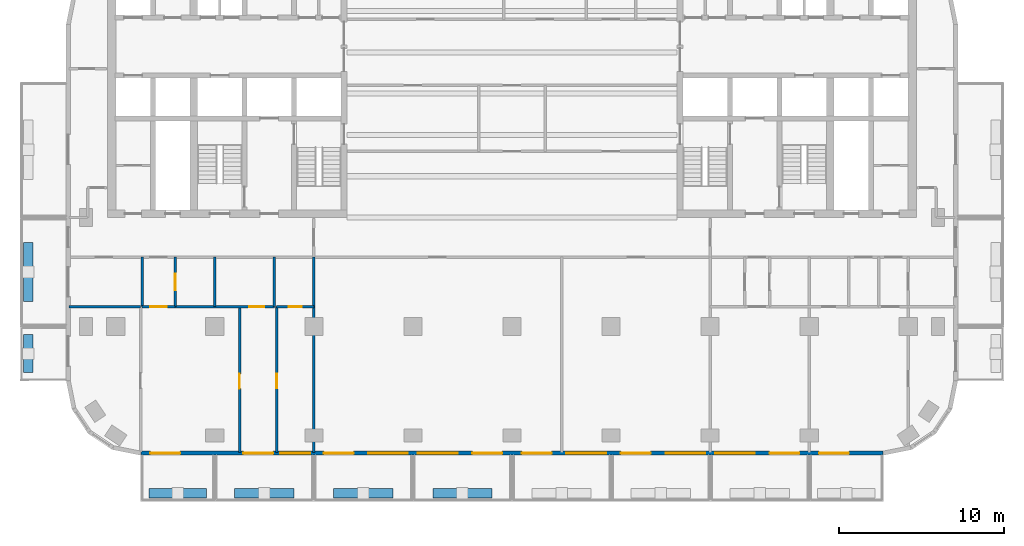
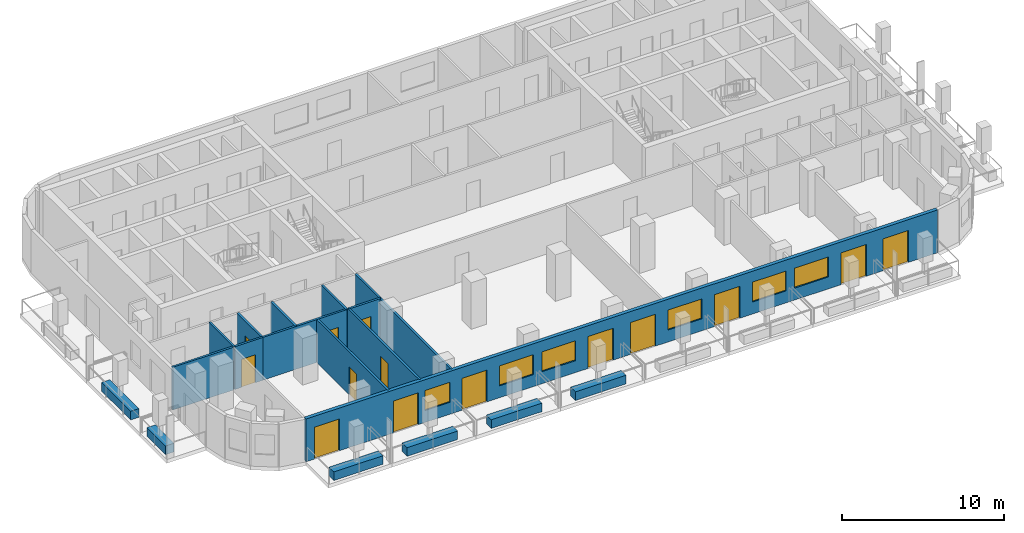
# One storey, part 2 of 11: 18 walls, 14 doors, 6 windows, 20 openings.
"""IFC4 building model written with IfcOpenShell, lengths in metres."""

from ifc_helpers import new_model, si_unit, direction, frame, frame_2d, origin, place, context, subcontext, project, spatial, rectangle, extrude, material, layer, layer_set, type_object, element, fill, save


model = new_model("IFC4")

# Units and contexts
model_context = context("Model", 3, precision=1e-05, world=origin(), true_north=direction((0.0, 1.0)))
body_context = subcontext(model_context, "Body", "Model", "MODEL_VIEW")
ifc_project = project(units=[si_unit("LENGTHUNIT", "METRE"), si_unit("AREAUNIT", "SQUARE_METRE"), si_unit("VOLUMEUNIT", "CUBIC_METRE"), si_unit("PLANEANGLEUNIT", "RADIAN"), si_unit("MASSUNIT", "GRAM", prefix="KILO")], contexts=[model_context])

# Site, building, storey
site_placement = place(None, origin())
site = spatial("IfcSite", under=ifc_project, at=site_placement, CompositionType="ELEMENT")
building_placement = place(site_placement, origin())
building = spatial("IfcBuilding", under=site, at=building_placement, Name="Torana Hotel and Residences", CompositionType="ELEMENT")
storey_placement = place(building_placement, frame((0.0, 0.0, 204.60009765625)))
storey = spatial("IfcBuildingStorey", under=building, at=storey_placement, Name="L53", CompositionType="ELEMENT", Elevation=204.60009765625)

# Wall, openings, doors, windows
ifc_material_1 = material(Name="Black aluminium composite panel", Category="aluminium")
ifc_layer_1 = layer(ifc_material_1, 0.00390625, Name="Cladding", Category="cladding")
ifc_material_2 = material(Name="Ventilated air cavity")
ifc_layer_2 = layer(ifc_material_2, 0.0400390625, Name="Ventilated cavity", Category="cavity")
ifc_material_3 = material(Name="Mineral wool insulation")
ifc_layer_3 = layer(ifc_material_3, 0.090087890625, Name="Insulation", Category="insulation")
ifc_material_4 = material(Name="Steel S280GD", Category="steel")
ifc_layer_4 = layer(ifc_material_4, 0.092041015625, Name="Steel stud frame", Category="structure")
ifc_material_5 = material(Name="Fire rated plasterboard")
ifc_layer_5 = layer(ifc_material_5, 0.011962890625, Name="Inner board", Category="finish")
ifc_layer_6 = layer(ifc_material_5, 0.011962890625, Name="Second board", Category="finish")
ifc_layer_set_1 = layer_set([ifc_layer_1, ifc_layer_2, ifc_layer_3, ifc_layer_4, ifc_layer_5, ifc_layer_6], Name="EW1 EXTERNAL WALL BLACK METAL CLAD 250")
wall_type_1 = type_object("IfcWallType", Name="EW1 EXTERNAL WALL BLACK METAL CLAD 250", PredefinedType="SOLIDWALL", material=ifc_layer_set_1)
wall_1_placement = place(storey_placement, frame((-22.475341796875, -29.27490234375, 0.0), z_axis=(0.0, 0.0, 1.0), x_axis=(1.0, 0.0, 0.0)))
wall_1 = element("IfcWall", 1, at=wall_1_placement, inside=storey, type_object=wall_type_1, Name="External wall L53 e0.14", PredefinedType="SOLIDWALL", context=body_context, shape_type="SweptSolid", body=[
    extrude(rectangle(XDim=44.95068359375, YDim=0.25, at=frame_2d((22.475341796875, 0.0))), origin(), (0.0, 0.0, 1.0), 3.219970703125),
])
opening_1_placement = place(wall_1_placement, frame((0.575439453125, 0.0, 0.0)))
opening_1 = element("IfcOpeningElement", 2, at=opening_1_placement, cuts=wall_1, Name="Opening L53-E01", PredefinedType="OPENING", context=body_context, shape_type="SweptSolid", body=[
    extrude(rectangle(XDim=1.800048828125, YDim=2.39990234375, at=frame_2d((0.89990234375, 1.199951171875))), frame((0.0, 0.135009765625, 0.0), z_axis=(0.0, -1.0, 0.0), x_axis=(1.0, 0.0, 0.0)), (0.0, 0.0, 1.0), 0.27001953125),
])
opening_2_placement = place(wall_1_placement, frame((6.200439453125, 0.0, 0.0)))
opening_2 = element("IfcOpeningElement", 3, at=opening_2_placement, cuts=wall_1, Name="Opening L53-E02", PredefinedType="OPENING", context=body_context, shape_type="SweptSolid", body=[
    extrude(rectangle(XDim=1.800048828125, YDim=2.39990234375, at=frame_2d((0.89990234375, 1.199951171875))), frame((0.0, 0.135009765625, 0.0), z_axis=(0.0, -1.0, 0.0), x_axis=(1.0, 0.0, 0.0)), (0.0, 0.0, 1.0), 0.27001953125),
])
opening_3_placement = place(wall_1_placement, frame((8.450439453125, 0.0, 0.89990234375)))
opening_3 = element("IfcOpeningElement", 4, at=opening_3_placement, cuts=wall_1, Name="Opening W4", PredefinedType="OPENING", context=body_context, shape_type="SweptSolid", body=[
    extrude(rectangle(XDim=1.800048828125, YDim=1.5, at=frame_2d((0.89990234375, 0.75))), frame((0.0, 0.135009765625, 0.0), z_axis=(0.0, -1.0, 0.0), x_axis=(1.0, 0.0, 0.0)), (0.0, 0.0, 1.0), 0.27001953125),
])
opening_4_placement = place(wall_1_placement, frame((11.075439453125, 0.0, 0.0)))
opening_4 = element("IfcOpeningElement", 5, at=opening_4_placement, cuts=wall_1, Name="Opening L53-E03", PredefinedType="OPENING", context=body_context, shape_type="SweptSolid", body=[
    extrude(rectangle(XDim=1.800048828125, YDim=2.39990234375, at=frame_2d((0.89990234375, 1.199951171875))), frame((0.0, 0.135009765625, 0.0), z_axis=(0.0, -1.0, 0.0), x_axis=(1.0, 0.0, 0.0)), (0.0, 0.0, 1.0), 0.27001953125),
])
opening_5_placement = place(wall_1_placement, frame((13.775390625, 0.0, 0.89990234375)))
opening_5 = element("IfcOpeningElement", 6, at=opening_5_placement, cuts=wall_1, Name="Opening W3", PredefinedType="OPENING", context=body_context, shape_type="SweptSolid", body=[
    extrude(rectangle(XDim=2.39990234375, YDim=1.5, at=frame_2d((1.199951171875, 0.75))), frame((0.0, 0.135009765625, 0.0), z_axis=(0.0, -1.0, 0.0), x_axis=(1.0, 0.0, 0.0)), (0.0, 0.0, 1.0), 0.27001953125),
])
opening_6_placement = place(wall_1_placement, frame((16.775390625, 0.0, 0.89990234375)))
opening_6 = element("IfcOpeningElement", 7, at=opening_6_placement, cuts=wall_1, Name="Opening W3", PredefinedType="OPENING", context=body_context, shape_type="SweptSolid", body=[
    extrude(rectangle(XDim=2.39990234375, YDim=1.5, at=frame_2d((1.199951171875, 0.75))), frame((0.0, 0.135009765625, 0.0), z_axis=(0.0, -1.0, 0.0), x_axis=(1.0, 0.0, 0.0)), (0.0, 0.0, 1.0), 0.27001953125),
])
opening_7_placement = place(wall_1_placement, frame((20.075439453125, 0.0, 0.0)))
opening_7 = element("IfcOpeningElement", 8, at=opening_7_placement, cuts=wall_1, Name="Opening L53-E04", PredefinedType="OPENING", context=body_context, shape_type="SweptSolid", body=[
    extrude(rectangle(XDim=1.800048828125, YDim=2.39990234375, at=frame_2d((0.89990234375, 1.199951171875))), frame((0.0, 0.135009765625, 0.0), z_axis=(0.0, -1.0, 0.0), x_axis=(1.0, 0.0, 0.0)), (0.0, 0.0, 1.0), 0.27001953125),
])
opening_8_placement = place(wall_1_placement, frame((23.075439453125, 0.0, 0.0)))
opening_8 = element("IfcOpeningElement", 9, at=opening_8_placement, cuts=wall_1, Name="Opening L53-E05", PredefinedType="OPENING", context=body_context, shape_type="SweptSolid", body=[
    extrude(rectangle(XDim=1.800048828125, YDim=2.39990234375, at=frame_2d((0.89990234375, 1.199951171875))), frame((0.0, 0.135009765625, 0.0), z_axis=(0.0, -1.0, 0.0), x_axis=(1.0, 0.0, 0.0)), (0.0, 0.0, 1.0), 0.27001953125),
])
opening_9_placement = place(wall_1_placement, frame((25.775390625, 0.0, 0.89990234375)))
opening_9 = element("IfcOpeningElement", 10, at=opening_9_placement, cuts=wall_1, Name="Opening W3", PredefinedType="OPENING", context=body_context, shape_type="SweptSolid", body=[
    extrude(rectangle(XDim=2.39990234375, YDim=1.5, at=frame_2d((1.199951171875, 0.75))), frame((0.0, 0.135009765625, 0.0), z_axis=(0.0, -1.0, 0.0), x_axis=(1.0, 0.0, 0.0)), (0.0, 0.0, 1.0), 0.27001953125),
])
opening_10_placement = place(wall_1_placement, frame((29.075439453125, 0.0, 0.0)))
opening_10 = element("IfcOpeningElement", 11, at=opening_10_placement, cuts=wall_1, Name="Opening L53-E06", PredefinedType="OPENING", context=body_context, shape_type="SweptSolid", body=[
    extrude(rectangle(XDim=1.800048828125, YDim=2.39990234375, at=frame_2d((0.89990234375, 1.199951171875))), frame((0.0, 0.135009765625, 0.0), z_axis=(0.0, -1.0, 0.0), x_axis=(1.0, 0.0, 0.0)), (0.0, 0.0, 1.0), 0.27001953125),
])
opening_11_placement = place(wall_1_placement, frame((31.775390625, 0.0, 0.89990234375)))
opening_11 = element("IfcOpeningElement", 12, at=opening_11_placement, cuts=wall_1, Name="Opening W3", PredefinedType="OPENING", context=body_context, shape_type="SweptSolid", body=[
    extrude(rectangle(XDim=2.39990234375, YDim=1.5, at=frame_2d((1.199951171875, 0.75))), frame((0.0, 0.135009765625, 0.0), z_axis=(0.0, -1.0, 0.0), x_axis=(1.0, 0.0, 0.0)), (0.0, 0.0, 1.0), 0.27001953125),
])
opening_12_placement = place(wall_1_placement, frame((34.775390625, 0.0, 0.89990234375)))
opening_12 = element("IfcOpeningElement", 13, at=opening_12_placement, cuts=wall_1, Name="Opening W3", PredefinedType="OPENING", context=body_context, shape_type="SweptSolid", body=[
    extrude(rectangle(XDim=2.39990234375, YDim=1.5, at=frame_2d((1.199951171875, 0.75))), frame((0.0, 0.135009765625, 0.0), z_axis=(0.0, -1.0, 0.0), x_axis=(1.0, 0.0, 0.0)), (0.0, 0.0, 1.0), 0.27001953125),
])
opening_13_placement = place(wall_1_placement, frame((38.075439453125, 0.0, 0.0)))
opening_13 = element("IfcOpeningElement", 14, at=opening_13_placement, cuts=wall_1, Name="Opening L53-E07", PredefinedType="OPENING", context=body_context, shape_type="SweptSolid", body=[
    extrude(rectangle(XDim=1.800048828125, YDim=2.39990234375, at=frame_2d((0.89990234375, 1.199951171875))), frame((0.0, 0.135009765625, 0.0), z_axis=(0.0, -1.0, 0.0), x_axis=(1.0, 0.0, 0.0)), (0.0, 0.0, 1.0), 0.27001953125),
])
opening_14_placement = place(wall_1_placement, frame((41.075439453125, 0.0, 0.0)))
opening_14 = element("IfcOpeningElement", 15, at=opening_14_placement, cuts=wall_1, Name="Opening L53-E08", PredefinedType="OPENING", context=body_context, shape_type="SweptSolid", body=[
    extrude(rectangle(XDim=1.800048828125, YDim=2.39990234375, at=frame_2d((0.89990234375, 1.199951171875))), frame((0.0, 0.135009765625, 0.0), z_axis=(0.0, -1.0, 0.0), x_axis=(1.0, 0.0, 0.0)), (0.0, 0.0, 1.0), 0.27001953125),
])
ifc_material_6 = material(Name="Dark glass in black aluminium frame", Category="aluminium")
door_type_1 = type_object("IfcDoorType", Name="DB1 BALCONY DOOR 1800x2400", OperationType="DOUBLE_DOOR_SINGLE_SWING", PredefinedType="DOOR", material=ifc_material_6)
door_1_placement = place(opening_1_placement, origin())
door_1 = element("IfcDoor", 16, at=door_1_placement, inside=storey, type_object=door_type_1, Name="Balcony door L53", OperationType="DOUBLE_DOOR_SINGLE_SWING", OverallHeight=2.39990234375, OverallWidth=1.800048828125, PredefinedType="DOOR", context=body_context, shape_type="SweptSolid", body=[
    extrude(rectangle(XDim=1.800048828125, YDim=2.39990234375, at=frame_2d((0.89990234375, 1.199951171875))), frame((0.0, 0.02490234375, 0.0), z_axis=(0.0, -1.0, 0.0), x_axis=(1.0, 0.0, 0.0)), (0.0, 0.0, 1.0), 0.050048828125),
])
fill(opening_1, door_1)
door_2_placement = place(opening_2_placement, origin())
door_2 = element("IfcDoor", 17, at=door_2_placement, inside=storey, type_object=door_type_1, Name="Balcony door L53", OperationType="DOUBLE_DOOR_SINGLE_SWING", OverallHeight=2.39990234375, OverallWidth=1.800048828125, PredefinedType="DOOR", context=body_context, shape_type="SweptSolid", body=[
    extrude(rectangle(XDim=1.800048828125, YDim=2.39990234375, at=frame_2d((0.89990234375, 1.199951171875))), frame((0.0, 0.02490234375, 0.0), z_axis=(0.0, -1.0, 0.0), x_axis=(1.0, 0.0, 0.0)), (0.0, 0.0, 1.0), 0.050048828125),
])
fill(opening_2, door_2)
door_3_placement = place(opening_4_placement, origin())
door_3 = element("IfcDoor", 18, at=door_3_placement, inside=storey, type_object=door_type_1, Name="Balcony door L53", OperationType="DOUBLE_DOOR_SINGLE_SWING", OverallHeight=2.39990234375, OverallWidth=1.800048828125, PredefinedType="DOOR", context=body_context, shape_type="SweptSolid", body=[
    extrude(rectangle(XDim=1.800048828125, YDim=2.39990234375, at=frame_2d((0.89990234375, 1.199951171875))), frame((0.0, 0.02490234375, 0.0), z_axis=(0.0, -1.0, 0.0), x_axis=(1.0, 0.0, 0.0)), (0.0, 0.0, 1.0), 0.050048828125),
])
fill(opening_4, door_3)
door_4_placement = place(opening_7_placement, origin())
door_4 = element("IfcDoor", 19, at=door_4_placement, inside=storey, type_object=door_type_1, Name="Balcony door L53", OperationType="DOUBLE_DOOR_SINGLE_SWING", OverallHeight=2.39990234375, OverallWidth=1.800048828125, PredefinedType="DOOR", context=body_context, shape_type="SweptSolid", body=[
    extrude(rectangle(XDim=1.800048828125, YDim=2.39990234375, at=frame_2d((0.89990234375, 1.199951171875))), frame((0.0, 0.02490234375, 0.0), z_axis=(0.0, -1.0, 0.0), x_axis=(1.0, 0.0, 0.0)), (0.0, 0.0, 1.0), 0.050048828125),
])
fill(opening_7, door_4)
door_5_placement = place(opening_8_placement, origin())
door_5 = element("IfcDoor", 20, at=door_5_placement, inside=storey, type_object=door_type_1, Name="Balcony door L53", OperationType="DOUBLE_DOOR_SINGLE_SWING", OverallHeight=2.39990234375, OverallWidth=1.800048828125, PredefinedType="DOOR", context=body_context, shape_type="SweptSolid", body=[
    extrude(rectangle(XDim=1.800048828125, YDim=2.39990234375, at=frame_2d((0.89990234375, 1.199951171875))), frame((0.0, 0.02490234375, 0.0), z_axis=(0.0, -1.0, 0.0), x_axis=(1.0, 0.0, 0.0)), (0.0, 0.0, 1.0), 0.050048828125),
])
fill(opening_8, door_5)
door_6_placement = place(opening_10_placement, origin())
door_6 = element("IfcDoor", 21, at=door_6_placement, inside=storey, type_object=door_type_1, Name="Balcony door L53", OperationType="DOUBLE_DOOR_SINGLE_SWING", OverallHeight=2.39990234375, OverallWidth=1.800048828125, PredefinedType="DOOR", context=body_context, shape_type="SweptSolid", body=[
    extrude(rectangle(XDim=1.800048828125, YDim=2.39990234375, at=frame_2d((0.89990234375, 1.199951171875))), frame((0.0, 0.02490234375, 0.0), z_axis=(0.0, -1.0, 0.0), x_axis=(1.0, 0.0, 0.0)), (0.0, 0.0, 1.0), 0.050048828125),
])
fill(opening_10, door_6)
door_7_placement = place(opening_13_placement, origin())
door_7 = element("IfcDoor", 22, at=door_7_placement, inside=storey, type_object=door_type_1, Name="Balcony door L53", OperationType="DOUBLE_DOOR_SINGLE_SWING", OverallHeight=2.39990234375, OverallWidth=1.800048828125, PredefinedType="DOOR", context=body_context, shape_type="SweptSolid", body=[
    extrude(rectangle(XDim=1.800048828125, YDim=2.39990234375, at=frame_2d((0.89990234375, 1.199951171875))), frame((0.0, 0.02490234375, 0.0), z_axis=(0.0, -1.0, 0.0), x_axis=(1.0, 0.0, 0.0)), (0.0, 0.0, 1.0), 0.050048828125),
])
fill(opening_13, door_7)
door_8_placement = place(opening_14_placement, origin())
door_8 = element("IfcDoor", 23, at=door_8_placement, inside=storey, type_object=door_type_1, Name="Balcony door L53", OperationType="DOUBLE_DOOR_SINGLE_SWING", OverallHeight=2.39990234375, OverallWidth=1.800048828125, PredefinedType="DOOR", context=body_context, shape_type="SweptSolid", body=[
    extrude(rectangle(XDim=1.800048828125, YDim=2.39990234375, at=frame_2d((0.89990234375, 1.199951171875))), frame((0.0, 0.02490234375, 0.0), z_axis=(0.0, -1.0, 0.0), x_axis=(1.0, 0.0, 0.0)), (0.0, 0.0, 1.0), 0.050048828125),
])
fill(opening_14, door_8)
ifc_material_7 = material(Name="Dark glass in black aluminium frame", Category="aluminium")
window_type_1 = type_object("IfcWindowType", Name="W3 RESIDENCE WINDOW 2400x1500", PartitioningType="SINGLE_PANEL", PredefinedType="WINDOW", material=ifc_material_7)
window_1_placement = place(opening_5_placement, origin())
window_1 = element("IfcWindow", 24, at=window_1_placement, inside=storey, type_object=window_type_1, Name="Window L53", OverallHeight=1.5, OverallWidth=2.39990234375, PartitioningType="SINGLE_PANEL", PredefinedType="WINDOW", context=body_context, shape_type="SweptSolid", body=[
    extrude(rectangle(XDim=2.39990234375, YDim=1.5, at=frame_2d((1.199951171875, 0.75))), frame((0.0, 0.030029296875, 0.0), z_axis=(0.0, -1.0, 0.0), x_axis=(1.0, 0.0, 0.0)), (0.0, 0.0, 1.0), 0.06005859375),
])
fill(opening_5, window_1)
window_2_placement = place(opening_6_placement, origin())
window_2 = element("IfcWindow", 25, at=window_2_placement, inside=storey, type_object=window_type_1, Name="Window L53", OverallHeight=1.5, OverallWidth=2.39990234375, PartitioningType="SINGLE_PANEL", PredefinedType="WINDOW", context=body_context, shape_type="SweptSolid", body=[
    extrude(rectangle(XDim=2.39990234375, YDim=1.5, at=frame_2d((1.199951171875, 0.75))), frame((0.0, 0.030029296875, 0.0), z_axis=(0.0, -1.0, 0.0), x_axis=(1.0, 0.0, 0.0)), (0.0, 0.0, 1.0), 0.06005859375),
])
fill(opening_6, window_2)
window_3_placement = place(opening_9_placement, origin())
window_3 = element("IfcWindow", 26, at=window_3_placement, inside=storey, type_object=window_type_1, Name="Window L53", OverallHeight=1.5, OverallWidth=2.39990234375, PartitioningType="SINGLE_PANEL", PredefinedType="WINDOW", context=body_context, shape_type="SweptSolid", body=[
    extrude(rectangle(XDim=2.39990234375, YDim=1.5, at=frame_2d((1.199951171875, 0.75))), frame((0.0, 0.030029296875, 0.0), z_axis=(0.0, -1.0, 0.0), x_axis=(1.0, 0.0, 0.0)), (0.0, 0.0, 1.0), 0.06005859375),
])
fill(opening_9, window_3)
window_4_placement = place(opening_11_placement, origin())
window_4 = element("IfcWindow", 27, at=window_4_placement, inside=storey, type_object=window_type_1, Name="Window L53", OverallHeight=1.5, OverallWidth=2.39990234375, PartitioningType="SINGLE_PANEL", PredefinedType="WINDOW", context=body_context, shape_type="SweptSolid", body=[
    extrude(rectangle(XDim=2.39990234375, YDim=1.5, at=frame_2d((1.199951171875, 0.75))), frame((0.0, 0.030029296875, 0.0), z_axis=(0.0, -1.0, 0.0), x_axis=(1.0, 0.0, 0.0)), (0.0, 0.0, 1.0), 0.06005859375),
])
fill(opening_11, window_4)
window_5_placement = place(opening_12_placement, origin())
window_5 = element("IfcWindow", 28, at=window_5_placement, inside=storey, type_object=window_type_1, Name="Window L53", OverallHeight=1.5, OverallWidth=2.39990234375, PartitioningType="SINGLE_PANEL", PredefinedType="WINDOW", context=body_context, shape_type="SweptSolid", body=[
    extrude(rectangle(XDim=2.39990234375, YDim=1.5, at=frame_2d((1.199951171875, 0.75))), frame((0.0, 0.030029296875, 0.0), z_axis=(0.0, -1.0, 0.0), x_axis=(1.0, 0.0, 0.0)), (0.0, 0.0, 1.0), 0.06005859375),
])
fill(opening_12, window_5)
ifc_material_8 = material(Name="Dark glass in black aluminium frame", Category="aluminium")
window_type_2 = type_object("IfcWindowType", Name="W4 RESIDENCE WINDOW NARROW 1800x1500", PartitioningType="SINGLE_PANEL", PredefinedType="WINDOW", material=ifc_material_8)
window_6_placement = place(opening_3_placement, origin())
window_6 = element("IfcWindow", 29, at=window_6_placement, inside=storey, type_object=window_type_2, Name="Window L53", OverallHeight=1.5, OverallWidth=1.800048828125, PartitioningType="SINGLE_PANEL", PredefinedType="WINDOW", context=body_context, shape_type="SweptSolid", body=[
    extrude(rectangle(XDim=1.800048828125, YDim=1.5, at=frame_2d((0.89990234375, 0.75))), frame((0.0, 0.030029296875, 0.0), z_axis=(0.0, -1.0, 0.0), x_axis=(1.0, 0.0, 0.0)), (0.0, 0.0, 1.0), 0.06005859375),
])
fill(opening_3, window_6)

# Wall, opening, door
ifc_material_9 = material(Name="Gypsum plaster")
ifc_layer_7 = layer(ifc_material_9, 0.014892578125, Name="Plaster", Category="finish")
ifc_material_10 = material(Name="Concrete blockwork", Category="masonry")
ifc_layer_8 = layer(ifc_material_10, 0.1201171875, Name="Blockwork", Category="structure")
ifc_layer_9 = layer(ifc_material_9, 0.014892578125, Name="Plaster", Category="finish")
ifc_layer_set_2 = layer_set([ifc_layer_7, ifc_layer_8, ifc_layer_9], Name="FIRE PARTITION 150 BLOCKWORK")
wall_type_2 = type_object("IfcWallType", Name="FIRE PARTITION 150 BLOCKWORK", PredefinedType="PARTITIONING", material=ifc_layer_set_2)
wall_2_placement = place(storey_placement, frame((-20.39990234375, -20.39990234375, 0.0), z_axis=(0.0, 0.0, 1.0), x_axis=(0.0, 1.0, 0.0)))
wall_2 = element("IfcWall", 30, at=wall_2_placement, inside=storey, type_object=wall_type_2, Name="Partition L53", PredefinedType="PARTITIONING", context=body_context, shape_type="SweptSolid", body=[
    extrude(rectangle(XDim=3.0, YDim=0.14990234375, at=frame_2d((1.5, 0.0))), origin(), (0.0, 0.0, 1.0), 3.219970703125),
])
opening_15_placement = place(wall_2_placement, frame((1.0, 0.0, 0.0)))
opening_15 = element("IfcOpeningElement", 31, at=opening_15_placement, cuts=wall_2, Name="Opening L53-57", PredefinedType="OPENING", context=body_context, shape_type="SweptSolid", body=[
    extrude(rectangle(XDim=1.0, YDim=2.10009765625, at=frame_2d((0.5, 1.050048828125))), frame((0.0, 0.0849609375, 0.0), z_axis=(0.0, -1.0, 0.0), x_axis=(1.0, 0.0, 0.0)), (0.0, 0.0, 1.0), 0.169921875),
])
ifc_material_11 = material(Name="Steel S235", Category="steel")
door_type_2 = type_object("IfcDoorType", Name="ENTRY FIRE DOOR D6 1000x2100", OperationType="SINGLE_SWING_LEFT", PredefinedType="DOOR", material=ifc_material_11)
door_9_placement = place(opening_15_placement, frame((0.5, 0.0, 0.0), z_axis=(0.0, 0.0, 1.0), x_axis=(-1.0, 0.0, 0.0)))
door_9 = element("IfcDoor", 32, at=door_9_placement, inside=storey, type_object=door_type_2, Name="Door L53", OperationType="SINGLE_SWING_LEFT", OverallHeight=2.10009765625, OverallWidth=1.0, PredefinedType="DOOR", context=body_context, shape_type="SweptSolid", body=[
    extrude(rectangle(XDim=1.0, YDim=2.10009765625, at=frame_2d((0.0, 1.050048828125))), frame((0.0, -0.02490234375, 0.0), z_axis=(0.0, 1.0, 0.0), x_axis=(-1.0, 0.0, 0.0)), (0.0, 0.0, 1.0), 0.050048828125),
])
fill(opening_15, door_9)

# Wall
wall_3_placement = place(storey_placement, frame((-22.39990234375, -20.39990234375, 0.0), z_axis=(0.0, 0.0, 1.0), x_axis=(0.0, 1.0, 0.0)))
element("IfcWall", 33, at=wall_3_placement, inside=storey, type_object=wall_type_2, Name="Partition L53", PredefinedType="PARTITIONING", context=body_context, shape_type="SweptSolid", body=[
    extrude(rectangle(XDim=3.0, YDim=0.14990234375, at=frame_2d((1.5, 0.0))), origin(), (0.0, 0.0, 1.0), 3.219970703125),
])

# Wall, opening, door
wall_4_placement = place(storey_placement, frame((-22.39990234375, -20.39990234375, 0.0), z_axis=(0.0, 0.0, 1.0), x_axis=(1.0, 0.0, 0.0)))
wall_4 = element("IfcWall", 34, at=wall_4_placement, inside=storey, type_object=wall_type_2, Name="Partition L53", PredefinedType="PARTITIONING", context=body_context, shape_type="SweptSolid", body=[
    extrude(rectangle(XDim=2.0, YDim=0.14990234375, at=frame_2d((1.0, 0.0))), origin(), (0.0, 0.0, 1.0), 3.219970703125),
])
opening_16_placement = place(wall_4_placement, frame((0.47998046875, 0.0, 0.0)))
opening_16 = element("IfcOpeningElement", 35, at=opening_16_placement, cuts=wall_4, Name="Opening L53-58", PredefinedType="OPENING", context=body_context, shape_type="SweptSolid", body=[
    extrude(rectangle(XDim=1.0, YDim=2.10009765625, at=frame_2d((0.5, 1.050048828125))), frame((0.0, 0.0849609375, 0.0), z_axis=(0.0, -1.0, 0.0), x_axis=(1.0, 0.0, 0.0)), (0.0, 0.0, 1.0), 0.169921875),
])
door_10_placement = place(opening_16_placement, frame((0.5, 0.0, 0.0), z_axis=(0.0, 0.0, 1.0), x_axis=(-1.0, 0.0, 0.0)))
door_10 = element("IfcDoor", 36, at=door_10_placement, inside=storey, type_object=door_type_2, Name="Door L53", OperationType="SINGLE_SWING_LEFT", OverallHeight=2.10009765625, OverallWidth=1.0, PredefinedType="DOOR", context=body_context, shape_type="SweptSolid", body=[
    extrude(rectangle(XDim=1.0, YDim=2.10009765625, at=frame_2d((0.0, 1.050048828125))), frame((0.0, -0.02490234375, 0.0), z_axis=(0.0, 1.0, 0.0), x_axis=(-1.0, 0.0, 0.0)), (0.0, 0.0, 1.0), 0.050048828125),
])
fill(opening_16, door_10)

# Wall
ifc_material_12 = material(Name="Gypsum plasterboard")
ifc_layer_10 = layer(ifc_material_12, 0.012451171875, Name="Plasterboard", Category="finish")
ifc_layer_11 = layer(ifc_material_12, 0.012451171875, Name="Plasterboard", Category="finish")
ifc_layer_12 = layer(ifc_material_4, 0.10009765625, Name="Steel studs with mineral wool", Category="insulation")
ifc_layer_13 = layer(ifc_material_12, 0.012451171875, Name="Plasterboard", Category="finish")
ifc_layer_14 = layer(ifc_material_12, 0.012451171875, Name="Plasterboard", Category="finish")
ifc_layer_set_3 = layer_set([ifc_layer_10, ifc_layer_11, ifc_layer_12, ifc_layer_13, ifc_layer_14], Name="PARTITION 150 PLASTERBOARD")
wall_type_3 = type_object("IfcWallType", Name="PARTITION 150 PLASTERBOARD", PredefinedType="PARTITIONING", material=ifc_layer_set_3)
wall_5_placement = place(storey_placement, frame((-12.0, -29.219970703125, 0.0), z_axis=(0.0, 0.0, 1.0), x_axis=(0.0, 1.0, 0.0)))
element("IfcWall", 37, at=wall_5_placement, inside=storey, type_object=wall_type_3, Name="Partition L53", PredefinedType="PARTITIONING", context=body_context, shape_type="SweptSolid", body=[
    extrude(rectangle(XDim=11.820068359375, YDim=0.14990234375, at=frame_2d((5.91015625, 0.0))), origin(), (0.0, 0.0, 1.0), 3.219970703125),
])

# Wall, opening, door
wall_6_placement = place(storey_placement, frame((-14.25, -29.219970703125, 0.0), z_axis=(0.0, 0.0, 1.0), x_axis=(0.0, 1.0, 0.0)))
wall_6 = element("IfcWall", 38, at=wall_6_placement, inside=storey, type_object=wall_type_3, Name="Partition L53", PredefinedType="PARTITIONING", context=body_context, shape_type="SweptSolid", body=[
    extrude(rectangle(XDim=8.820068359375, YDim=0.14990234375, at=frame_2d((4.41015625, 0.0))), origin(), (0.0, 0.0, 1.0), 3.219970703125),
])
opening_17_placement = place(wall_6_placement, frame((3.8701171875, 0.0, 0.0)))
opening_17 = element("IfcOpeningElement", 39, at=opening_17_placement, cuts=wall_6, Name="Opening L53-61", PredefinedType="OPENING", context=body_context, shape_type="SweptSolid", body=[
    extrude(rectangle(XDim=0.89990234375, YDim=2.10009765625, at=frame_2d((0.449951171875, 1.050048828125))), frame((0.0, 0.0849609375, 0.0), z_axis=(0.0, -1.0, 0.0), x_axis=(1.0, 0.0, 0.0)), (0.0, 0.0, 1.0), 0.169921875),
])
ifc_material_13 = material(Name="Timber door, oiled ash", Category="wood")
door_type_3 = type_object("IfcDoorType", Name="ROOM DOOR D7 900x2100", OperationType="SINGLE_SWING_LEFT", PredefinedType="DOOR", material=ifc_material_13)
door_11_placement = place(opening_17_placement, origin())
door_11 = element("IfcDoor", 40, at=door_11_placement, inside=storey, type_object=door_type_3, Name="Door L53", OperationType="SINGLE_SWING_RIGHT", OverallHeight=2.10009765625, OverallWidth=0.89990234375, PredefinedType="DOOR", context=body_context, shape_type="SweptSolid", body=[
    extrude(rectangle(XDim=0.89990234375, YDim=2.10009765625, at=frame_2d((0.449951171875, 1.050048828125))), frame((0.0, 0.02490234375, 0.0), z_axis=(0.0, -1.0, 0.0), x_axis=(1.0, 0.0, 0.0)), (0.0, 0.0, 1.0), 0.050048828125),
])
fill(opening_17, door_11)

# Wall
wall_7_placement = place(storey_placement, frame((-14.39990234375, -20.39990234375, 0.0), z_axis=(0.0, 0.0, 1.0), x_axis=(0.0, 1.0, 0.0)))
element("IfcWall", 41, at=wall_7_placement, inside=storey, type_object=wall_type_3, Name="Partition L53", PredefinedType="PARTITIONING", context=body_context, shape_type="SweptSolid", body=[
    extrude(rectangle(XDim=3.0, YDim=0.14990234375, at=frame_2d((1.5, 0.0))), origin(), (0.0, 0.0, 1.0), 3.219970703125),
])

# Wall, opening, door
wall_8_placement = place(storey_placement, frame((-16.5, -29.219970703125, 0.0), z_axis=(0.0, 0.0, 1.0), x_axis=(0.0, 1.0, 0.0)))
wall_8 = element("IfcWall", 42, at=wall_8_placement, inside=storey, type_object=wall_type_3, Name="Partition L53", PredefinedType="PARTITIONING", context=body_context, shape_type="SweptSolid", body=[
    extrude(rectangle(XDim=8.820068359375, YDim=0.14990234375, at=frame_2d((4.41015625, 0.0))), origin(), (0.0, 0.0, 1.0), 3.219970703125),
])
opening_18_placement = place(wall_8_placement, frame((3.85009765625, 0.0, 0.0)))
opening_18 = element("IfcOpeningElement", 43, at=opening_18_placement, cuts=wall_8, Name="Opening L53-59", PredefinedType="OPENING", context=body_context, shape_type="SweptSolid", body=[
    extrude(rectangle(XDim=0.89990234375, YDim=2.10009765625, at=frame_2d((0.449951171875, 1.050048828125))), frame((0.0, 0.0849609375, 0.0), z_axis=(0.0, -1.0, 0.0), x_axis=(1.0, 0.0, 0.0)), (0.0, 0.0, 1.0), 0.169921875),
])
door_12_placement = place(opening_18_placement, origin())
door_12 = element("IfcDoor", 44, at=door_12_placement, inside=storey, type_object=door_type_3, Name="Door L53", OperationType="SINGLE_SWING_RIGHT", OverallHeight=2.10009765625, OverallWidth=0.89990234375, PredefinedType="DOOR", context=body_context, shape_type="SweptSolid", body=[
    extrude(rectangle(XDim=0.89990234375, YDim=2.10009765625, at=frame_2d((0.449951171875, 1.050048828125))), frame((0.0, 0.02490234375, 0.0), z_axis=(0.0, -1.0, 0.0), x_axis=(1.0, 0.0, 0.0)), (0.0, 0.0, 1.0), 0.050048828125),
])
fill(opening_18, door_12)

# Walls
wall_9_placement = place(storey_placement, frame((-18.0, -20.39990234375, 0.0), z_axis=(0.0, 0.0, 1.0), x_axis=(0.0, 1.0, 0.0)))
element("IfcWall", 45, at=wall_9_placement, inside=storey, type_object=wall_type_3, Name="Partition L53", PredefinedType="PARTITIONING", context=body_context, shape_type="SweptSolid", body=[
    extrude(rectangle(XDim=3.0, YDim=0.14990234375, at=frame_2d((1.5, 0.0))), origin(), (0.0, 0.0, 1.0), 3.219970703125),
])
wall_10_placement = place(storey_placement, frame((-26.820068359375, -20.39990234375, 0.0), z_axis=(0.0, 0.0, 1.0), x_axis=(1.0, 0.0, 0.0)))
element("IfcWall", 46, at=wall_10_placement, inside=storey, type_object=wall_type_3, Name="Partition L53", PredefinedType="PARTITIONING", context=body_context, shape_type="SweptSolid", body=[
    extrude(rectangle(XDim=4.320068359375, YDim=0.14990234375, at=frame_2d((2.16015625, 0.0))), origin(), (0.0, 0.0, 1.0), 3.219970703125),
])

# Wall, opening, door
wall_11_placement = place(storey_placement, frame((-20.39990234375, -20.39990234375, 0.0), z_axis=(0.0, 0.0, 1.0), x_axis=(1.0, 0.0, 0.0)))
wall_11 = element("IfcWall", 47, at=wall_11_placement, inside=storey, type_object=wall_type_3, Name="Partition L53", PredefinedType="PARTITIONING", context=body_context, shape_type="SweptSolid", body=[
    extrude(rectangle(XDim=6.0, YDim=0.14990234375, at=frame_2d((3.0, 0.0))), origin(), (0.0, 0.0, 1.0), 3.219970703125),
])
opening_19_placement = place(wall_11_placement, frame((4.47998046875, 0.0, 0.0)))
opening_19 = element("IfcOpeningElement", 48, at=opening_19_placement, cuts=wall_11, Name="Opening L53-56", PredefinedType="OPENING", context=body_context, shape_type="SweptSolid", body=[
    extrude(rectangle(XDim=0.89990234375, YDim=2.10009765625, at=frame_2d((0.449951171875, 1.050048828125))), frame((0.0, 0.0849609375, 0.0), z_axis=(0.0, -1.0, 0.0), x_axis=(1.0, 0.0, 0.0)), (0.0, 0.0, 1.0), 0.169921875),
])
door_13_placement = place(opening_19_placement, origin())
door_13 = element("IfcDoor", 49, at=door_13_placement, inside=storey, type_object=door_type_3, Name="Door L53", OperationType="SINGLE_SWING_LEFT", OverallHeight=2.10009765625, OverallWidth=0.89990234375, PredefinedType="DOOR", context=body_context, shape_type="SweptSolid", body=[
    extrude(rectangle(XDim=0.89990234375, YDim=2.10009765625, at=frame_2d((0.449951171875, 1.050048828125))), frame((0.0, 0.02490234375, 0.0), z_axis=(0.0, -1.0, 0.0), x_axis=(1.0, 0.0, 0.0)), (0.0, 0.0, 1.0), 0.050048828125),
])
fill(opening_19, door_13)

wall_12_placement = place(storey_placement, frame((-14.25, -20.39990234375, 0.0), z_axis=(0.0, 0.0, 1.0), x_axis=(1.0, 0.0, 0.0)))
wall_12 = element("IfcWall", 50, at=wall_12_placement, inside=storey, type_object=wall_type_3, Name="Partition L53", PredefinedType="PARTITIONING", context=body_context, shape_type="SweptSolid", body=[
    extrude(rectangle(XDim=2.25, YDim=0.14990234375, at=frame_2d((1.125, 0.0))), origin(), (0.0, 0.0, 1.0), 3.219970703125),
])
opening_20_placement = place(wall_12_placement, frame((0.72998046875, 0.0, 0.0)))
opening_20 = element("IfcOpeningElement", 51, at=opening_20_placement, cuts=wall_12, Name="Opening L53-55", PredefinedType="OPENING", context=body_context, shape_type="SweptSolid", body=[
    extrude(rectangle(XDim=0.800048828125, YDim=2.10009765625, at=frame_2d((0.39990234375, 1.050048828125))), frame((0.0, 0.0849609375, 0.0), z_axis=(0.0, -1.0, 0.0), x_axis=(1.0, 0.0, 0.0)), (0.0, 0.0, 1.0), 0.169921875),
])
ifc_material_14 = material(Name="Timber door, painted", Category="wood")
door_type_4 = type_object("IfcDoorType", Name="BATH DOOR D13 800x2100", OperationType="SINGLE_SWING_LEFT", PredefinedType="DOOR", material=ifc_material_14)
door_14_placement = place(opening_20_placement, origin())
door_14 = element("IfcDoor", 52, at=door_14_placement, inside=storey, type_object=door_type_4, Name="Door L53", OperationType="SINGLE_SWING_LEFT", OverallHeight=2.10009765625, OverallWidth=0.800048828125, PredefinedType="DOOR", context=body_context, shape_type="SweptSolid", body=[
    extrude(rectangle(XDim=0.800048828125, YDim=2.10009765625, at=frame_2d((0.39990234375, 1.050048828125))), frame((0.0, 0.02490234375, 0.0), z_axis=(0.0, -1.0, 0.0), x_axis=(1.0, 0.0, 0.0)), (0.0, 0.0, 1.0), 0.050048828125),
])
fill(opening_20, door_14)

# Walls
ifc_material_15 = material(Name="Concrete C40/50 precast", Category="concrete")
ifc_layer_15 = layer(ifc_material_15, 0.10009765625, Name="Planter shell", Category="structure")
ifc_material_16 = material(Name="Root resistant membrane")
ifc_layer_16 = layer(ifc_material_16, 0.00390625, Name="Waterproofing membrane", Category="membrane")
ifc_material_17 = material(Name="Drainage board with filter fleece")
ifc_layer_17 = layer(ifc_material_17, 0.02001953125, Name="Drainage board", Category="drainage")
ifc_material_18 = material(Name="Growing medium")
ifc_layer_18 = layer(ifc_material_18, 0.47607421875, Name="Planting substrate", Category="soil")
ifc_layer_set_4 = layer_set([ifc_layer_15, ifc_layer_16, ifc_layer_17, ifc_layer_18], Name="PL1 BALCONY PLANTER 600")
wall_type_4 = type_object("IfcWallType", Name="PL1 BALCONY PLANTER 600", PredefinedType="USERDEFINED", material=ifc_layer_set_4)
wall_13_placement = place(storey_placement, frame((-18.5, -31.699951171875, 0.0), z_axis=(0.0, 0.0, 1.0), x_axis=(-1.0, 0.0, 0.0)))
element("IfcWall", 53, at=wall_13_placement, inside=storey, type_object=wall_type_4, Name="Planter 01", ObjectType="PLANTER", PredefinedType="USERDEFINED", context=body_context, shape_type="SweptSolid", body=[
    extrude(rectangle(XDim=3.5, YDim=0.60009765625, at=frame_2d((1.75, 0.0))), origin(), (0.0, 0.0, 1.0), 0.64990234375),
])
for number, where, z_axis, x_axis, name in (
    (54, (-13.199951171875, -31.699951171875, 0.0), (0.0, 0.0, 1.0), (-1.0, 0.0, 0.0), "Planter 02"),
    (55, (-7.199951171875, -31.699951171875, 0.0), (0.0, 0.0, 1.0), (-1.0, 0.0, 0.0), "Planter 03"),
    (56, (-1.199951171875, -31.699951171875, 0.0), (0.0, 0.0, 1.0), (-1.0, 0.0, 0.0), "Planter 04"),
):
    element("IfcWall", number, at=place(storey_placement, frame(where, z_axis=z_axis, x_axis=x_axis)), inside=storey, type_object=wall_type_4, Name=name, ObjectType="PLANTER", PredefinedType="USERDEFINED", context=body_context, shape_type="SweptSolid", body=[
        extrude(rectangle(XDim=3.60009765625, YDim=0.60009765625, at=frame_2d((1.800048828125, 0.0))), origin(), (0.0, 0.0, 1.0), 0.64990234375),
    ])
wall_14_placement = place(storey_placement, frame((-29.300048828125, -24.39990234375, 0.0), z_axis=(0.0, 0.0, 1.0), x_axis=(0.0, 1.0, 0.0)))
element("IfcWall", 57, at=wall_14_placement, inside=storey, type_object=wall_type_4, Name="Planter 09", ObjectType="PLANTER", PredefinedType="USERDEFINED", context=body_context, shape_type="SweptSolid", body=[
    extrude(rectangle(XDim=2.2998046875, YDim=0.60009765625, at=frame_2d((1.14990234375, 0.0))), origin(), (0.0, 0.0, 1.0), 0.64990234375),
])
wall_15_placement = place(storey_placement, frame((-29.300048828125, -20.10009765625, 0.0), z_axis=(0.0, 0.0, 1.0), x_axis=(0.0, 1.0, 0.0)))
element("IfcWall", 58, at=wall_15_placement, inside=storey, type_object=wall_type_4, Name="Planter 10", ObjectType="PLANTER", PredefinedType="USERDEFINED", context=body_context, shape_type="SweptSolid", body=[
    extrude(rectangle(XDim=3.60009765625, YDim=0.60009765625, at=frame_2d((1.800048828125, 0.0))), origin(), (0.0, 0.0, 1.0), 0.64990234375),
])

save(model, "model.ifc")
